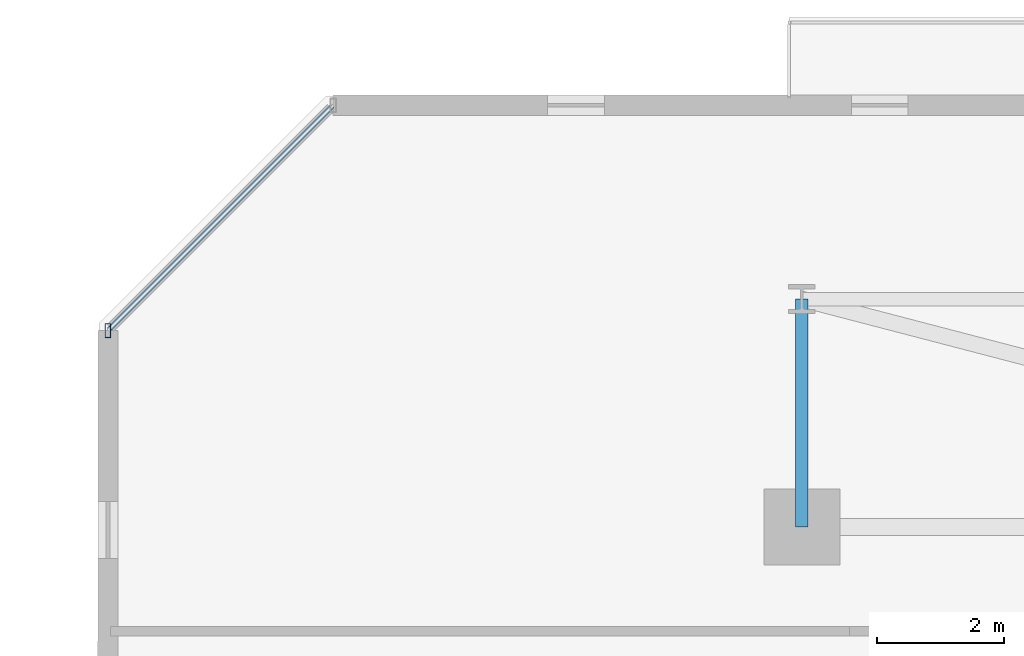
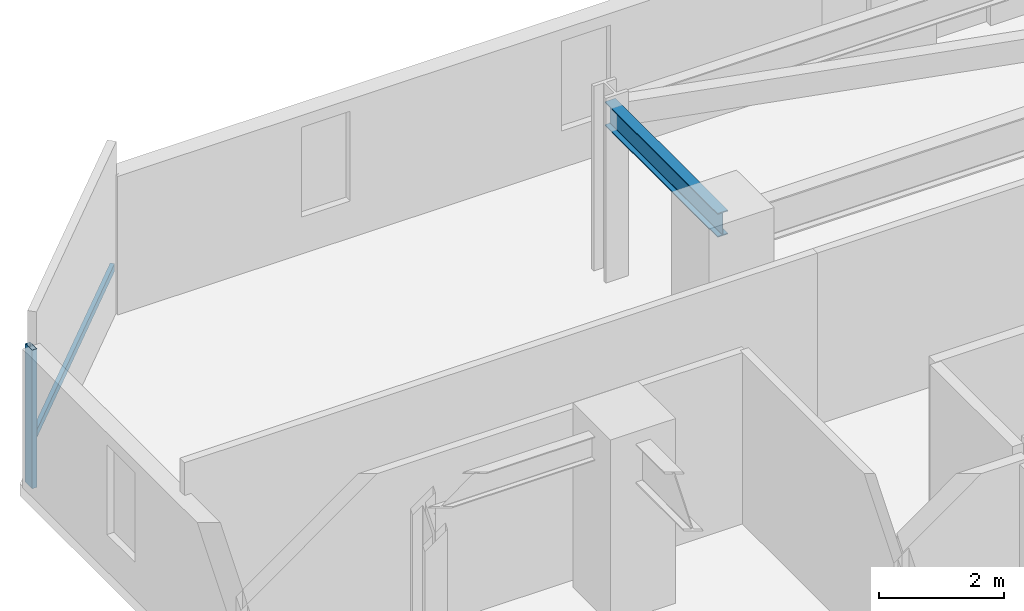
# One storey, part 7 of 33: 2 members, 1 beam, 1 element without a shape of its own.
"""IFC4 building model written with IfcOpenShell, lengths in metres."""

from ifc_helpers import new_model, si_unit, direction, frame, origin, origin_2d, place, context, subcontext, project, spatial, hollow_rectangle, i_section, extrude, material, material_profile, profile_set, type_object, element, aggregate, save


model = new_model("IFC4")

# Units and contexts
model_context = context("Model", 3, precision=1e-05, world=origin(), true_north=direction((0.0, 1.0)))
body_context = subcontext(model_context, "Body", "Model", "MODEL_VIEW")
ifc_project = project(units=[si_unit("LENGTHUNIT", "METRE"), si_unit("AREAUNIT", "SQUARE_METRE"), si_unit("VOLUMEUNIT", "CUBIC_METRE"), si_unit("PLANEANGLEUNIT", "RADIAN"), si_unit("MASSUNIT", "GRAM", prefix="KILO")], contexts=[model_context])

# Site, building, storey
site_placement = place(None, origin())
site = spatial("IfcSite", under=ifc_project, at=site_placement, CompositionType="ELEMENT")
building_placement = place(site_placement, origin())
building = spatial("IfcBuilding", under=site, at=building_placement, Name="Thornwick Lancets Civic Towers", CompositionType="ELEMENT")
storey_placement = place(building_placement, frame((0.0, 0.0, 105.300048828125)))
storey = spatial("IfcBuildingStorey", under=building, at=storey_placement, Name="L27", CompositionType="ELEMENT", Elevation=105.300048828125)

# Beam
ifc_material_1 = material(Name="Steel S355JR", Category="steel")
ifc_material_profile_1 = material_profile(ifc_material_1, i_section(OverallWidth=0.19287109375, OverallDepth=0.46728515625, WebThickness=0.011474609375, FlangeThickness=0.01953125, FilletRadius=0.01025390625, at=origin_2d()), Name="UKB 457x191x98")
ifc_profile_set_1 = profile_set([ifc_material_profile_1], Name="Steel S355JR")
beam_type = type_object("IfcBeamType", Name="BM_JOIST_457_98", PredefinedType="JOIST", material=ifc_profile_set_1)
beam_placement = place(storey_placement, frame((12.5, 44.300048828125, 3.12646484375), z_axis=(0.0, 1.0, 0.0), x_axis=(-1.0, 0.0, 0.0)))
element("IfcBeam", 1, at=beam_placement, inside=storey, type_object=beam_type, Name="BM-RAD-L27-A07", PredefinedType="JOIST", context=body_context, shape_type="SweptSolid", body=[
    extrude(i_section(OverallWidth=0.19287109375, OverallDepth=0.46728515625, WebThickness=0.011474609375, FlangeThickness=0.01953125, FilletRadius=0.01025390625, at=origin_2d()), origin(), (0.0, 0.0, 1.0), 3.599853515625),
])

# Curtain wall, members
ifc_material_2 = material(Name="Low-zone chamfered-corner unitised glass curtain wall", Category="glass")
curtain_wall_type = type_object("IfcCurtainWallType", Name="CW_SYS_03", PredefinedType="NOTDEFINED", material=ifc_material_2)
curtain_wall_placement = place(storey_placement, origin())
curtain_wall = element("IfcCurtainWall", 2, at=curtain_wall_placement, inside=storey, type_object=curtain_wall_type, Name="L27 Curtain Wall CW-L27-A-E5", PredefinedType="NOTDEFINED")
ifc_material_3 = material(Name="Thermally broken bronze aluminium S355", Category="steel")
ifc_material_profile_2 = material_profile(ifc_material_3, hollow_rectangle(XDim=0.090087890625, YDim=0.219970703125, WallThickness=0.00634765625, at=origin_2d()), Name="RHS 220x90x6.3")
ifc_profile_set_2 = profile_set([ifc_material_profile_2], Name="Thermally broken bronze aluminium S355")
member_type_1 = type_object("IfcMemberType", Name="CW_MUL_220", PredefinedType="MULLION", material=ifc_profile_set_2)
member_1_placement = place(storey_placement, frame((1.53857421875, 47.403076171875, 0.0), z_axis=(0.0, 0.0, 1.0), x_axis=(1.0, 0.0, 0.0)))
member_1 = element("IfcMember", 3, at=member_1_placement, type_object=member_type_1, Name="CW-L27-A-E5 Mullion 1", PredefinedType="MULLION", context=body_context, shape_type="SweptSolid", body=[
    extrude(hollow_rectangle(XDim=0.090087890625, YDim=0.219970703125, WallThickness=0.00634765625, at=origin_2d()), origin(), (0.0, 0.0, 1.0), 2.699951171875),
])
ifc_material_profile_3 = material_profile(ifc_material_3, hollow_rectangle(XDim=0.074951171875, YDim=0.14990234375, WallThickness=0.0048828125, at=origin_2d()), Name="RHS 150x75x5")
ifc_profile_set_3 = profile_set([ifc_material_profile_3], Name="Thermally broken bronze aluminium S355")
member_type_2 = type_object("IfcMemberType", Name="CW_TRN_150", PredefinedType="USERDEFINED", material=ifc_profile_set_3)
member_2_placement = place(storey_placement, frame((5.0830078125, 50.947509765625, 0.849853515625), z_axis=(-0.707106781187, -0.707106781187, 0.0), x_axis=(0.707106781187, -0.707106781187, 0.0)))
member_2 = element("IfcMember", 4, at=member_2_placement, type_object=member_type_2, Name="CW-L27-A-E5 Transom 0", ObjectType="TRANSOM", PredefinedType="USERDEFINED", context=body_context, shape_type="SweptSolid", body=[
    extrude(hollow_rectangle(XDim=0.074951171875, YDim=0.14990234375, WallThickness=0.0048828125, at=origin_2d()), origin(), (0.0, 0.0, 1.0), 4.992919921875),
])
aggregate(curtain_wall, [member_1, member_2])

save(model, "model.ifc")
